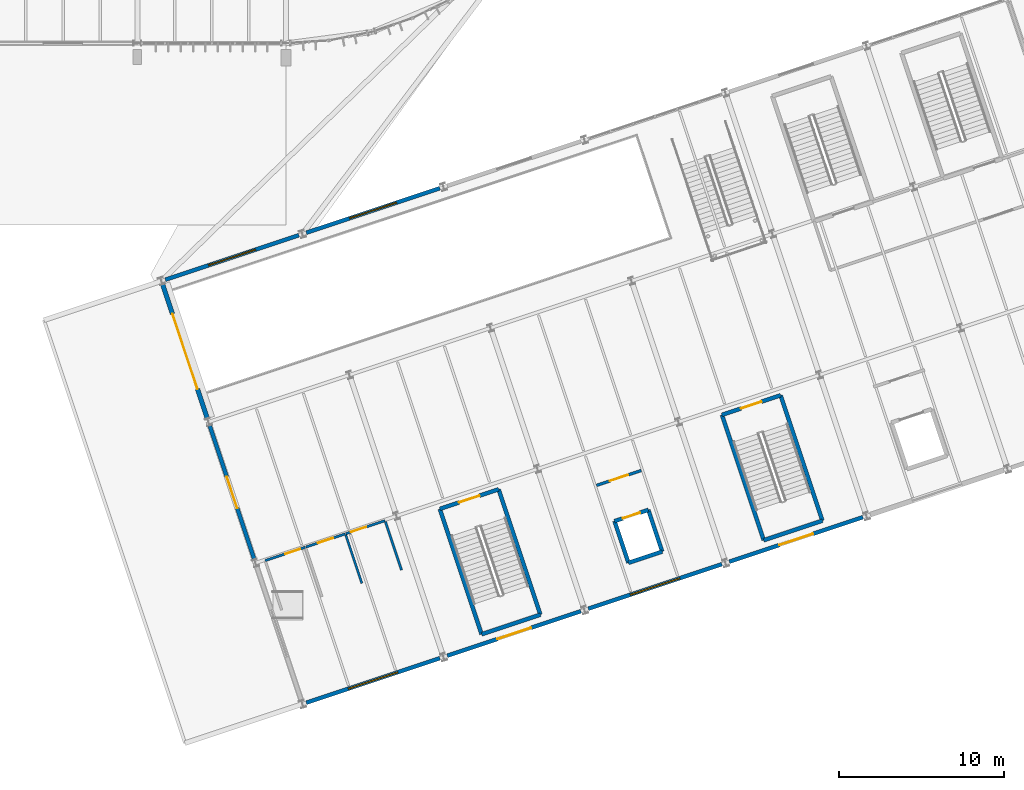
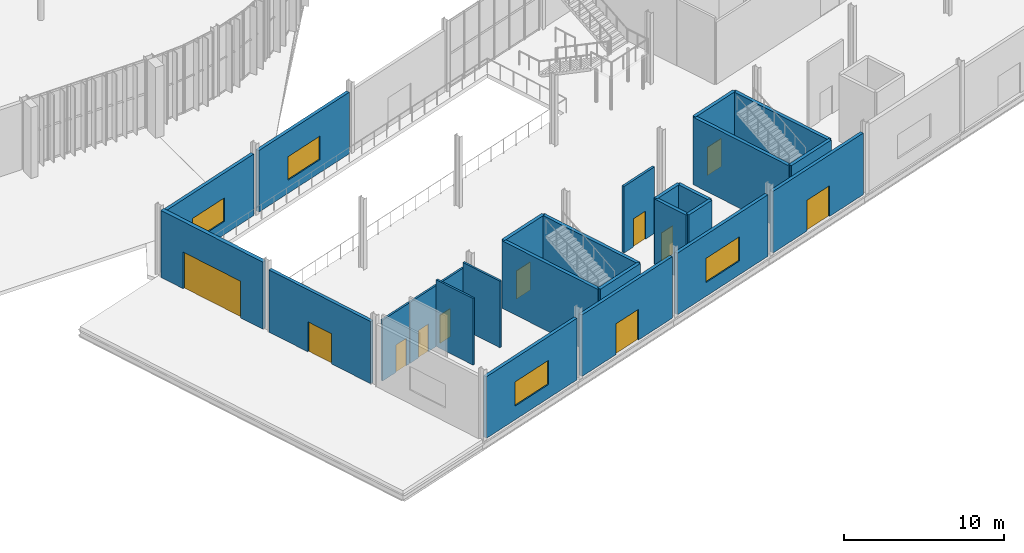
# One storey, part 121 of 158: 26 walls, 11 doors, 4 windows, 15 openings.
"""IFC4 building model written with IfcOpenShell, lengths in metres."""

from ifc_helpers import new_model, si_unit, derived_unit, direction, frame, frame_2d, origin, place, context, subcontext, project, spatial, rectangle, extrude, material, layer, layer_set, type_object, element, fill, save


model = new_model("IFC4")

# Units and contexts
model_context = context("Model", 3, precision=1e-05, world=origin(), true_north=direction((0.0, 1.0)))
body_context = subcontext(model_context, "Body", "Model", "MODEL_VIEW")
ifc_project = project(units=[si_unit("LENGTHUNIT", "METRE"), si_unit("AREAUNIT", "SQUARE_METRE"), si_unit("VOLUMEUNIT", "CUBIC_METRE"), si_unit("PLANEANGLEUNIT", "RADIAN"), si_unit("MASSUNIT", "GRAM", prefix="KILO"), si_unit("THERMODYNAMICTEMPERATUREUNIT", "KELVIN"), si_unit("TIMEUNIT", "SECOND"), derived_unit("THERMALTRANSMITTANCEUNIT", [(si_unit("MASSUNIT", "GRAM", prefix="KILO"), 1), (si_unit("THERMODYNAMICTEMPERATUREUNIT", "KELVIN"), -1), (si_unit("TIMEUNIT", "SECOND"), -3)])], contexts=[model_context])

# Site, building, storey
site_placement = place(None, origin())
site = spatial("IfcSite", under=ifc_project, at=site_placement, CompositionType="ELEMENT")
building_placement = place(site_placement, origin())
building = spatial("IfcBuilding", under=site, at=building_placement, Name="Cambertide Market Hall", CompositionType="ELEMENT")
storey_placement = place(building_placement, origin())
storey = spatial("IfcBuildingStorey", under=building, at=storey_placement, Name="L01", CompositionType="ELEMENT", Elevation=0.0)

# Wall, opening, window
ifc_material_1 = material(Name="Autoclaved Aerated Concrete Blockwork M7.5", Category="masonry")
ifc_layer_1 = layer(ifc_material_1, 0.235107421875, Name="Food Court Acoustic Facade Wall 235")
ifc_layer_set_1 = layer_set([ifc_layer_1], Name="Autoclaved Aerated Concrete Blockwork M7.5")
wall_type_1 = type_object("IfcWallType", Name="Food Court Acoustic Facade Wall 235", PredefinedType="SOLIDWALL", material=ifc_layer_set_1)
wall_1_placement = place(storey_placement, frame((97.689453125, 37.6904296875, 0.0), z_axis=(0.0, 0.0, 1.0), x_axis=(0.948689028943, 0.316210572821, 0.0)))
wall_1 = element("IfcWall", 1, at=wall_1_placement, inside=storey, type_object=wall_type_1, Name="Level 1 Exterior Wall EW-L01-V3N-1", PredefinedType="SOLIDWALL", context=body_context, shape_type="SweptSolid", body=[
    extrude(rectangle(XDim=8.52001953125, YDim=0.235107421875, at=frame_2d((4.260009765625, 0.0))), origin(), (0.0, 0.0, 1.0), 4.699951171875),
])
opening_1_placement = place(wall_1_placement, frame((2.760009765625, 0.0, 1.0)))
opening_1 = element("IfcOpeningElement", 2, at=opening_1_placement, cuts=wall_1, Name="Opening WN-04", PredefinedType="OPENING", context=body_context, shape_type="SweptSolid", body=[
    extrude(rectangle(XDim=3.0, YDim=1.800048828125, at=frame_2d((1.5, 0.89990234375))), frame((0.0, 0.12744140625, 0.0), z_axis=(0.0, -1.0, 0.0), x_axis=(1.0, 0.0, 0.0)), (0.0, 0.0, 1.0), 0.255126953125),
])
ifc_material_2 = material(Name="Low-E Laminated Insulated Glass", Category="glass")
window_type_1 = type_object("IfcWindowType", Name="Hawker Hall Louvered Window 3000x1800", PartitioningType="SINGLE_PANEL", PredefinedType="WINDOW", material=ifc_material_2)
window_1_placement = place(opening_1_placement, origin())
window_1 = element("IfcWindow", 3, at=window_1_placement, inside=storey, type_object=window_type_1, Name="Level 1 Window EW-L01-V3N-1-WN", OverallHeight=1.800048828125, OverallWidth=3.0, PartitioningType="SINGLE_PANEL", PredefinedType="WINDOW", context=body_context, shape_type="SweptSolid", body=[
    extrude(rectangle(XDim=3.0, YDim=1.800048828125, at=frame_2d((1.5, 0.89990234375))), frame((0.0, 0.030029296875, 0.0), z_axis=(0.0, -1.0, 0.0), x_axis=(1.0, 0.0, 0.0)), (0.0, 0.0, 1.0), 0.06005859375),
])
fill(opening_1, window_1)

wall_2_placement = place(storey_placement, frame((114.310546875, 14.770263671875, 0.0), z_axis=(0.0, 0.0, 1.0), x_axis=(-0.948680432514, -0.316236362498, 0.0)))
wall_2 = element("IfcWall", 4, at=wall_2_placement, inside=storey, type_object=wall_type_1, Name="Level 1 Exterior Wall EW-L01-V3S-1", PredefinedType="SOLIDWALL", context=body_context, shape_type="SweptSolid", body=[
    extrude(rectangle(XDim=8.52001953125, YDim=0.235107421875, at=frame_2d((4.260009765625, 0.0))), origin(), (0.0, 0.0, 1.0), 4.699951171875),
])
opening_2_placement = place(wall_2_placement, frame((2.68505859375, 0.0, 1.050048828125)))
opening_2 = element("IfcOpeningElement", 5, at=opening_2_placement, cuts=wall_2, Name="Opening WN-04B", PredefinedType="OPENING", context=body_context, shape_type="SweptSolid", body=[
    extrude(rectangle(XDim=3.14990234375, YDim=1.85009765625, at=frame_2d((1.574951171875, 0.925048828125))), frame((0.0, 0.12744140625, 0.0), z_axis=(0.0, -1.0, 0.0), x_axis=(1.0, 0.0, 0.0)), (0.0, 0.0, 1.0), 0.255126953125),
])
ifc_material_3 = material(Name="Low-E Laminated Insulated Glass", Category="glass")
window_type_2 = type_object("IfcWindowType", Name="Riverfront Gallery Window 3150x1850", PartitioningType="SINGLE_PANEL", PredefinedType="WINDOW", material=ifc_material_3)
window_2_placement = place(opening_2_placement, origin())
window_2 = element("IfcWindow", 6, at=window_2_placement, inside=storey, type_object=window_type_2, Name="Level 1 Window EW-L01-V3S-1-WN", OverallHeight=1.85009765625, OverallWidth=3.14990234375, PartitioningType="SINGLE_PANEL", PredefinedType="WINDOW", context=body_context, shape_type="SweptSolid", body=[
    extrude(rectangle(XDim=3.14990234375, YDim=1.85009765625, at=frame_2d((1.574951171875, 0.925048828125))), frame((0.0, 0.030029296875, 0.0), z_axis=(0.0, -1.0, 0.0), x_axis=(1.0, 0.0, 0.0)), (0.0, 0.0, 1.0), 0.06005859375),
])
fill(opening_2, window_2)

wall_3_placement = place(storey_placement, frame((106.227783203125, 40.536376953125, 0.0), z_axis=(0.0, 0.0, 1.0), x_axis=(0.948680432514, 0.316236362498, 0.0)))
wall_3 = element("IfcWall", 7, at=wall_3_placement, inside=storey, type_object=wall_type_1, Name="Level 1 Exterior Wall EW-L01-V3N-2", PredefinedType="SOLIDWALL", context=body_context, shape_type="SweptSolid", body=[
    extrude(rectangle(XDim=8.52001953125, YDim=0.235107421875, at=frame_2d((4.260009765625, 0.0))), origin(), (0.0, 0.0, 1.0), 4.699951171875),
])
opening_3_placement = place(wall_3_placement, frame((2.760009765625, 0.0, 1.0)))
opening_3 = element("IfcOpeningElement", 8, at=opening_3_placement, cuts=wall_3, Name="Opening WN-04", PredefinedType="OPENING", context=body_context, shape_type="SweptSolid", body=[
    extrude(rectangle(XDim=3.0, YDim=1.800048828125, at=frame_2d((1.5, 0.89990234375))), frame((0.0, 0.12744140625, 0.0), z_axis=(0.0, -1.0, 0.0), x_axis=(1.0, 0.0, 0.0)), (0.0, 0.0, 1.0), 0.255126953125),
])
window_3_placement = place(opening_3_placement, origin())
window_3 = element("IfcWindow", 9, at=window_3_placement, inside=storey, type_object=window_type_1, Name="Level 1 Window EW-L01-V3N-2-WN", OverallHeight=1.800048828125, OverallWidth=3.0, PartitioningType="SINGLE_PANEL", PredefinedType="WINDOW", context=body_context, shape_type="SweptSolid", body=[
    extrude(rectangle(XDim=3.0, YDim=1.800048828125, at=frame_2d((1.5, 0.89990234375))), frame((0.0, 0.030029296875, 0.0), z_axis=(0.0, -1.0, 0.0), x_axis=(1.0, 0.0, 0.0)), (0.0, 0.0, 1.0), 0.06005859375),
])
fill(opening_3, window_3)

# Wall, opening, door
wall_4_placement = place(storey_placement, frame((122.8486328125, 17.6162109375, 0.0), z_axis=(0.0, 0.0, 1.0), x_axis=(-0.948680432514, -0.316236362498, 0.0)))
wall_4 = element("IfcWall", 10, at=wall_4_placement, inside=storey, type_object=wall_type_1, Name="Level 1 Exterior Wall EW-L01-V3S-2", PredefinedType="SOLIDWALL", context=body_context, shape_type="SweptSolid", body=[
    extrude(rectangle(XDim=8.52001953125, YDim=0.235107421875, at=frame_2d((4.260009765625, 0.0))), origin(), (0.0, 0.0, 1.0), 4.699951171875),
])
opening_4_placement = place(wall_4_placement, frame((3.18505859375, 0.0, 0.0)))
opening_4 = element("IfcOpeningElement", 11, at=opening_4_placement, cuts=wall_4, Name="Opening ED-05", PredefinedType="OPENING", context=body_context, shape_type="SweptSolid", body=[
    extrude(rectangle(XDim=2.14990234375, YDim=2.35009765625, at=frame_2d((1.074951171875, 1.175048828125))), frame((0.0, 0.12744140625, 0.0), z_axis=(0.0, -1.0, 0.0), x_axis=(1.0, 0.0, 0.0)), (0.0, 0.0, 1.0), 0.255126953125),
])
ifc_material_4 = material(Name="Champagne Marine Anodized Aluminium 6063-T6 AA25", Category="aluminium")
door_type_1 = type_object("IfcDoorType", Name="Hawker Promenade Double Exit Door 2150x2350", OperationType="DOUBLE_DOOR_SINGLE_SWING", PredefinedType="DOOR", material=ifc_material_4)
door_1_placement = place(opening_4_placement, origin())
door_1 = element("IfcDoor", 12, at=door_1_placement, inside=storey, type_object=door_type_1, Name="Level 1 Exterior Door EW-L01-V3S-2-DR", OperationType="DOUBLE_DOOR_SINGLE_SWING", OverallHeight=2.35009765625, OverallWidth=2.14990234375, PredefinedType="DOOR", context=body_context, shape_type="SweptSolid", body=[
    extrude(rectangle(XDim=2.14990234375, YDim=2.35009765625, at=frame_2d((1.074951171875, 1.175048828125))), frame((0.0, 0.02490234375, 0.0), z_axis=(0.0, -1.0, 0.0), x_axis=(1.0, 0.0, 0.0)), (0.0, 0.0, 1.0), 0.050048828125),
])
fill(opening_4, door_1)

# Wall, opening, window
wall_5_placement = place(storey_placement, frame((131.38671875, 20.462158203125, 0.0), z_axis=(0.0, 0.0, 1.0), x_axis=(-0.948689028943, -0.316210572821, 0.0)))
wall_5 = element("IfcWall", 13, at=wall_5_placement, inside=storey, type_object=wall_type_1, Name="Level 1 Exterior Wall EW-L01-V3S-3", PredefinedType="SOLIDWALL", context=body_context, shape_type="SweptSolid", body=[
    extrude(rectangle(XDim=8.52001953125, YDim=0.235107421875, at=frame_2d((4.260009765625, 0.0))), origin(), (0.0, 0.0, 1.0), 4.699951171875),
])
opening_5_placement = place(wall_5_placement, frame((2.68505859375, 0.0, 1.050048828125)))
opening_5 = element("IfcOpeningElement", 14, at=opening_5_placement, cuts=wall_5, Name="Opening WN-04B", PredefinedType="OPENING", context=body_context, shape_type="SweptSolid", body=[
    extrude(rectangle(XDim=3.14990234375, YDim=1.85009765625, at=frame_2d((1.574951171875, 0.925048828125))), frame((0.0, 0.12744140625, 0.0), z_axis=(0.0, -1.0, 0.0), x_axis=(1.0, 0.0, 0.0)), (0.0, 0.0, 1.0), 0.255126953125),
])
window_4_placement = place(opening_5_placement, origin())
window_4 = element("IfcWindow", 15, at=window_4_placement, inside=storey, type_object=window_type_2, Name="Level 1 Window EW-L01-V3S-3-WN", OverallHeight=1.85009765625, OverallWidth=3.14990234375, PartitioningType="SINGLE_PANEL", PredefinedType="WINDOW", context=body_context, shape_type="SweptSolid", body=[
    extrude(rectangle(XDim=3.14990234375, YDim=1.85009765625, at=frame_2d((1.574951171875, 0.925048828125))), frame((0.0, 0.030029296875, 0.0), z_axis=(0.0, -1.0, 0.0), x_axis=(1.0, 0.0, 0.0)), (0.0, 0.0, 1.0), 0.06005859375),
])
fill(opening_5, window_4)

# Wall, opening, door
wall_6_placement = place(storey_placement, frame((139.9248046875, 23.308349609375, 0.0), z_axis=(0.0, 0.0, 1.0), x_axis=(-0.948680432514, -0.316236362498, 0.0)))
wall_6 = element("IfcWall", 16, at=wall_6_placement, inside=storey, type_object=wall_type_1, Name="Level 1 Exterior Wall EW-L01-V3S-4", PredefinedType="SOLIDWALL", context=body_context, shape_type="SweptSolid", body=[
    extrude(rectangle(XDim=8.52001953125, YDim=0.235107421875, at=frame_2d((4.260009765625, 0.0))), origin(), (0.0, 0.0, 1.0), 4.699951171875),
])
opening_6_placement = place(wall_6_placement, frame((3.18505859375, 0.0, 0.0)))
opening_6 = element("IfcOpeningElement", 17, at=opening_6_placement, cuts=wall_6, Name="Opening ED-05", PredefinedType="OPENING", context=body_context, shape_type="SweptSolid", body=[
    extrude(rectangle(XDim=2.14990234375, YDim=2.35009765625, at=frame_2d((1.074951171875, 1.175048828125))), frame((0.0, 0.12744140625, 0.0), z_axis=(0.0, -1.0, 0.0), x_axis=(1.0, 0.0, 0.0)), (0.0, 0.0, 1.0), 0.255126953125),
])
door_2_placement = place(opening_6_placement, origin())
door_2 = element("IfcDoor", 18, at=door_2_placement, inside=storey, type_object=door_type_1, Name="Level 1 Exterior Door EW-L01-V3S-4-DR", OperationType="DOUBLE_DOOR_SINGLE_SWING", OverallHeight=2.35009765625, OverallWidth=2.14990234375, PredefinedType="DOOR", context=body_context, shape_type="SweptSolid", body=[
    extrude(rectangle(XDim=2.14990234375, YDim=2.35009765625, at=frame_2d((1.074951171875, 1.175048828125))), frame((0.0, 0.02490234375, 0.0), z_axis=(0.0, -1.0, 0.0), x_axis=(1.0, 0.0, 0.0)), (0.0, 0.0, 1.0), 0.050048828125),
])
fill(opening_6, door_2)

wall_7_placement = place(storey_placement, frame((103.078125, 20.765869140625, 0.0), z_axis=(0.0, 0.0, 1.0), x_axis=(-0.316236362498, 0.948680432514, 0.0)))
wall_7 = element("IfcWall", 19, at=wall_7_placement, inside=storey, type_object=wall_type_1, Name="Level 1 Exterior Wall EW-L01-V3W-2", PredefinedType="SOLIDWALL", context=body_context, shape_type="SweptSolid", body=[
    extrude(rectangle(XDim=8.52001953125, YDim=0.235107421875, at=frame_2d((4.260009765625, 0.0))), origin(), (0.0, 0.0, 1.0), 4.75),
])
opening_7_placement = place(wall_7_placement, frame((3.260009765625, 0.0, 0.0)))
opening_7 = element("IfcOpeningElement", 20, at=opening_7_placement, cuts=wall_7, Name="Opening ED-01", PredefinedType="OPENING", context=body_context, shape_type="SweptSolid", body=[
    extrude(rectangle(XDim=2.0, YDim=2.300048828125, at=frame_2d((1.0, 1.14990234375))), frame((0.0, 0.12744140625, 0.0), z_axis=(0.0, -1.0, 0.0), x_axis=(1.0, 0.0, 0.0)), (0.0, 0.0, 1.0), 0.255126953125),
])
ifc_material_5 = material(Name="Champagne Marine Anodized Aluminium 6063-T6 AA25", Category="aluminium")
door_type_2 = type_object("IfcDoorType", Name="Final Exit Double Door 2000x2300", OperationType="DOUBLE_DOOR_SINGLE_SWING", PredefinedType="DOOR", material=ifc_material_5)
door_3_placement = place(opening_7_placement, origin())
door_3 = element("IfcDoor", 21, at=door_3_placement, inside=storey, type_object=door_type_2, Name="Level 1 Exterior Door EW-L01-V3W-2-DR", OperationType="DOUBLE_DOOR_SINGLE_SWING", OverallHeight=2.300048828125, OverallWidth=2.0, PredefinedType="DOOR", context=body_context, shape_type="SweptSolid", body=[
    extrude(rectangle(XDim=2.0, YDim=2.300048828125, at=frame_2d((1.0, 1.14990234375))), frame((0.0, 0.02490234375, 0.0), z_axis=(0.0, -1.0, 0.0), x_axis=(1.0, 0.0, 0.0)), (0.0, 0.0, 1.0), 0.050048828125),
])
fill(opening_7, door_3)

ifc_material_6 = material(Name="Autoclaved Aerated Concrete Blockwork M7.5", Category="masonry")
ifc_layer_2 = layer(ifc_material_6, 0.169921875, Name="Lift Lobby Fire Partition 170")
ifc_layer_set_2 = layer_set([ifc_layer_2], Name="Autoclaved Aerated Concrete Blockwork M7.5")
wall_type_2 = type_object("IfcWallType", Name="Lift Lobby Fire Partition 170", PredefinedType="PARTITIONING", material=ifc_layer_set_2)
wall_8_placement = place(storey_placement, frame((123.79736328125, 25.2373046875, 0.0), z_axis=(0.0, 0.0, 1.0), x_axis=(0.94869183448, 0.316202155576, 0.0)))
wall_8 = element("IfcWall", 22, at=wall_8_placement, inside=storey, type_object=wall_type_2, Name="Level 1 Interior Wall LLW-LP-02-L01", PredefinedType="PARTITIONING", context=body_context, shape_type="SweptSolid", body=[
    extrude(rectangle(XDim=2.85986328125, YDim=0.169921875, at=frame_2d((1.429931640625, 0.0))), origin(), (0.0, 0.0, 1.0), 5.080078125),
])
opening_8_placement = place(wall_8_placement, frame((0.85498046875, 0.0, 0.0)))
opening_8 = element("IfcOpeningElement", 23, at=opening_8_placement, cuts=wall_8, Name="Opening KD-02", PredefinedType="OPENING", context=body_context, shape_type="SweptSolid", body=[
    extrude(rectangle(XDim=1.14990234375, YDim=2.14990234375, at=frame_2d((0.574951171875, 1.074951171875))), frame((0.0, 0.094970703125, 0.0), z_axis=(0.0, -1.0, 0.0), x_axis=(1.0, 0.0, 0.0)), (0.0, 0.0, 1.0), 0.18994140625),
])
ifc_material_7 = material(Name="Stainless Steel Grade 316", Category="metal")
door_type_3 = type_object("IfcDoorType", Name="Lift Lobby Smoke-Stop Door 1150x2150", OperationType="NOTDEFINED", PredefinedType="DOOR", material=ifc_material_7)
door_4_placement = place(opening_8_placement, origin())
door_4 = element("IfcDoor", 24, at=door_4_placement, inside=storey, type_object=door_type_3, Name="Level 1 Door LLW-LP-02-L01-DR1", OperationType="SINGLE_SWING_RIGHT", OverallHeight=2.14990234375, OverallWidth=1.14990234375, PredefinedType="DOOR", context=body_context, shape_type="SweptSolid", body=[
    extrude(rectangle(XDim=1.14990234375, YDim=2.14990234375, at=frame_2d((0.574951171875, 1.074951171875))), frame((0.0, 0.02490234375, 0.0), z_axis=(0.0, -1.0, 0.0), x_axis=(1.0, 0.0, 0.0)), (0.0, 0.0, 1.0), 0.050048828125),
])
fill(opening_8, door_4)

ifc_material_8 = material(Name="Precast concrete B35", Category="concrete")
ifc_layer_3 = layer(ifc_material_8, 0.280029296875, Name="Load-Bearing Precast Facade Wall 280")
ifc_layer_set_3 = layer_set([ifc_layer_3], Name="Precast concrete B35")
wall_type_3 = type_object("IfcWallType", Name="Load-Bearing Precast Facade Wall 280", PredefinedType="SOLIDWALL", material=ifc_layer_set_3)
wall_9_placement = place(storey_placement, frame((100.23193359375, 29.303955078125, 0.0), z_axis=(0.0, 0.0, 1.0), x_axis=(-0.316210572821, 0.948689028943, 0.0)))
wall_9 = element("IfcWall", 25, at=wall_9_placement, inside=storey, type_object=wall_type_3, Name="Level 1 Exterior Wall EW-L01-V3W-RAMP", PredefinedType="SOLIDWALL", context=body_context, shape_type="SweptSolid", body=[
    extrude(rectangle(XDim=8.52001953125, YDim=0.280029296875, at=frame_2d((4.260009765625, 0.0))), origin(), (0.0, 0.0, 1.0), 5.1201171875),
])
opening_9_placement = place(wall_9_placement, frame((1.860107421875, 0.0, 0.0)))
opening_9 = element("IfcOpeningElement", 26, at=opening_9_placement, cuts=wall_9, Name="Opening VG-01M", PredefinedType="OPENING", context=body_context, shape_type="SweptSolid", body=[
    extrude(rectangle(XDim=4.800048828125, YDim=2.800048828125, at=frame_2d((2.39990234375, 1.39990234375))), frame((0.0, 0.14990234375, 0.0), z_axis=(0.0, -1.0, 0.0), x_axis=(1.0, 0.0, 0.0)), (0.0, 0.0, 1.0), 0.300048828125),
])
ifc_material_9 = material(Name="Powder-Coated Galvanized Sheet Metal", Category="metal")
door_type_4 = type_object("IfcDoorType", Name="Basement Car Park Roller Shutter Gate 4800x2800", OperationType="ROLLINGUP", PredefinedType="GATE", material=ifc_material_9)
door_5_placement = place(opening_9_placement, origin())
door_5 = element("IfcDoor", 27, at=door_5_placement, inside=storey, type_object=door_type_4, Name="Level 1 Exterior Door EW-L01-V3W-RAMP-DR", OperationType="ROLLINGUP", OverallHeight=2.800048828125, OverallWidth=4.800048828125, PredefinedType="GATE", context=body_context, shape_type="SweptSolid", body=[
    extrude(rectangle(XDim=4.800048828125, YDim=2.800048828125, at=frame_2d((2.39990234375, 1.39990234375))), frame((0.0, 0.02490234375, 0.0), z_axis=(0.0, -1.0, 0.0), x_axis=(1.0, 0.0, 0.0)), (0.0, 0.0, 1.0), 0.050048828125),
])
fill(opening_9, door_5)

ifc_material_10 = material(Name="Autoclaved Aerated Concrete Blockwork M7.5", Category="masonry")
ifc_layer_4 = layer(ifc_material_10, 0.139892578125, Name="Sanitary & Wet-Area Masonry Partition 140")
ifc_layer_set_4 = layer_set([ifc_layer_4], Name="Autoclaved Aerated Concrete Blockwork M7.5")
wall_type_4 = type_object("IfcWallType", Name="Sanitary & Wet-Area Masonry Partition 140", PredefinedType="PARTITIONING", material=ifc_layer_set_4)
wall_10_placement = place(storey_placement, frame((103.739013671875, 20.680419921875, 0.0), z_axis=(0.0, 0.0, 1.0), x_axis=(0.948683298051, 0.316227766017, 0.0)))
wall_10 = element("IfcWall", 28, at=wall_10_placement, inside=storey, type_object=wall_type_4, Name="Level 1 Interior Wall WCW-L01-L01B-F1", PredefinedType="PARTITIONING", context=body_context, shape_type="SweptSolid", body=[
    extrude(rectangle(XDim=2.550048828125, YDim=0.139892578125, at=frame_2d((1.27490234375, 0.0))), origin(), (0.0, 0.0, 1.0), 4.64990234375),
])
opening_10_placement = place(wall_10_placement, frame((1.280029296875, 0.0, 0.0)))
opening_10 = element("IfcOpeningElement", 29, at=opening_10_placement, cuts=wall_10, Name="Opening ID-04", PredefinedType="OPENING", context=body_context, shape_type="SweptSolid", body=[
    extrude(rectangle(XDim=0.949951171875, YDim=2.10009765625, at=frame_2d((0.47509765625, 1.050048828125))), frame((0.0, 0.079833984375, 0.0), z_axis=(0.0, -1.0, 0.0), x_axis=(1.0, 0.0, 0.0)), (0.0, 0.0, 1.0), 0.159912109375),
])
ifc_material_11 = material(Name="Champagne Marine Anodized Aluminium 6063-T6 AA25", Category="aluminium")
door_type_5 = type_object("IfcDoorType", Name="WC & Office Single Door 950x2100", OperationType="NOTDEFINED", PredefinedType="DOOR", material=ifc_material_11)
door_6_placement = place(opening_10_placement, origin())
door_6 = element("IfcDoor", 30, at=door_6_placement, inside=storey, type_object=door_type_5, Name="Level 1 Door WCW-L01-L01B-F1-DR1", OperationType="SINGLE_SWING_LEFT", OverallHeight=2.10009765625, OverallWidth=0.949951171875, PredefinedType="DOOR", context=body_context, shape_type="SweptSolid", body=[
    extrude(rectangle(XDim=0.949951171875, YDim=2.10009765625, at=frame_2d((0.47509765625, 1.050048828125))), frame((0.0, 0.02490234375, 0.0), z_axis=(0.0, -1.0, 0.0), x_axis=(1.0, 0.0, 0.0)), (0.0, 0.0, 1.0), 0.050048828125),
])
fill(opening_10, door_6)

wall_11_placement = place(storey_placement, frame((106.20556640625, 21.502685546875, 0.0), z_axis=(0.0, 0.0, 1.0), x_axis=(0.948683298051, 0.316227766017, 0.0)))
wall_11 = element("IfcWall", 31, at=wall_11_placement, inside=storey, type_object=wall_type_4, Name="Level 1 Interior Wall WCW-L01-L01B-F2", PredefinedType="PARTITIONING", context=body_context, shape_type="SweptSolid", body=[
    extrude(rectangle(XDim=2.499755859375, YDim=0.139892578125, at=frame_2d((1.25, 0.0))), origin(), (0.0, 0.0, 1.0), 4.64990234375),
])
opening_11_placement = place(wall_11_placement, frame((0.77490234375, 0.0, 0.0)))
opening_11 = element("IfcOpeningElement", 32, at=opening_11_placement, cuts=wall_11, Name="Opening ID-04", PredefinedType="OPENING", context=body_context, shape_type="SweptSolid", body=[
    extrude(rectangle(XDim=0.949951171875, YDim=2.10009765625, at=frame_2d((0.47509765625, 1.050048828125))), frame((0.0, 0.079833984375, 0.0), z_axis=(0.0, -1.0, 0.0), x_axis=(1.0, 0.0, 0.0)), (0.0, 0.0, 1.0), 0.159912109375),
])
door_7_placement = place(opening_11_placement, origin())
door_7 = element("IfcDoor", 33, at=door_7_placement, inside=storey, type_object=door_type_5, Name="Level 1 Door WCW-L01-L01B-F2-DR1", OperationType="SINGLE_SWING_RIGHT", OverallHeight=2.10009765625, OverallWidth=0.949951171875, PredefinedType="DOOR", context=body_context, shape_type="SweptSolid", body=[
    extrude(rectangle(XDim=0.949951171875, YDim=2.10009765625, at=frame_2d((0.47509765625, 1.050048828125))), frame((0.0, 0.02490234375, 0.0), z_axis=(0.0, -1.0, 0.0), x_axis=(1.0, 0.0, 0.0)), (0.0, 0.0, 1.0), 0.050048828125),
])
fill(opening_11, door_7)

wall_12_placement = place(storey_placement, frame((108.624755859375, 22.30908203125, 0.0), z_axis=(0.0, 0.0, 1.0), x_axis=(0.948683298051, 0.316227766017, 0.0)))
wall_12 = element("IfcWall", 34, at=wall_12_placement, inside=storey, type_object=wall_type_4, Name="Level 1 Interior Wall WCW-L01-L01B-F3", PredefinedType="PARTITIONING", context=body_context, shape_type="SweptSolid", body=[
    extrude(rectangle(XDim=2.499755859375, YDim=0.139892578125, at=frame_2d((1.25, 0.0))), origin(), (0.0, 0.0, 1.0), 4.64990234375),
])
opening_12_placement = place(wall_12_placement, frame((0.320068359375, 0.0, 0.0)))
opening_12 = element("IfcOpeningElement", 35, at=opening_12_placement, cuts=wall_12, Name="Opening ID-05", PredefinedType="OPENING", context=body_context, shape_type="SweptSolid", body=[
    extrude(rectangle(XDim=0.97998046875, YDim=2.14990234375, at=frame_2d((0.489990234375, 1.074951171875))), frame((0.0, 0.079833984375, 0.0), z_axis=(0.0, -1.0, 0.0), x_axis=(1.0, 0.0, 0.0)), (0.0, 0.0, 1.0), 0.159912109375),
])
ifc_material_12 = material(Name="Champagne Marine Anodized Aluminium 6063-T6 AA25", Category="aluminium")
door_type_6 = type_object("IfcDoorType", Name="Accessible WC Outward Door 980x2150", OperationType="NOTDEFINED", PredefinedType="DOOR", material=ifc_material_12)
door_8_placement = place(opening_12_placement, origin())
door_8 = element("IfcDoor", 36, at=door_8_placement, inside=storey, type_object=door_type_6, Name="Level 1 Door WCW-L01-L01B-F3-DR1", OperationType="SINGLE_SWING_LEFT", OverallHeight=2.14990234375, OverallWidth=0.97998046875, PredefinedType="DOOR", context=body_context, shape_type="SweptSolid", body=[
    extrude(rectangle(XDim=0.97998046875, YDim=2.14990234375, at=frame_2d((0.489990234375, 1.074951171875))), frame((0.0, 0.02490234375, 0.0), z_axis=(0.0, -1.0, 0.0), x_axis=(1.0, 0.0, 0.0)), (0.0, 0.0, 1.0), 0.050048828125),
])
fill(opening_12, door_8)

# Walls
for number, where, z_axis, x_axis, name in (
    (37, (109.59228515625, 19.311279296875, 0.0), (0.0, 0.0, 1.0), (-0.316204139208, 0.948691173326, 0.0), "Level 1 Interior Wall WCW-L01-L01B-D2"),
    (38, (111.992431640625, 20.111328125, 0.0), (0.0, 0.0, 1.0), (-0.316204139208, 0.948691173326, 0.0), "Level 1 Interior Wall WCW-L01-L01B-R"),
):
    element("IfcWall", number, at=place(storey_placement, frame(where, z_axis=z_axis, x_axis=x_axis)), inside=storey, type_object=wall_type_4, Name=name, PredefinedType="PARTITIONING", context=body_context, shape_type="SweptSolid", body=[
        extrude(rectangle(XDim=3.099853515625, YDim=0.139892578125, at=frame_2d((1.5498046875, 0.0))), origin(), (0.0, 0.0, 1.0), 5.080078125),
    ])

# Wall, opening, door
ifc_material_13 = material(Name="Concrete B35", Category="concrete")
ifc_layer_5 = layer(ifc_material_13, 0.239990234375, Name="Stair & Lift Core Shaft Wall 240")
ifc_layer_set_5 = layer_set([ifc_layer_5], Name="Concrete B35")
wall_type_5 = type_object("IfcWallType", Name="Stair & Lift Core Shaft Wall 240", PredefinedType="SOLIDWALL", material=ifc_layer_set_5)
wall_13_placement = place(storey_placement, frame((114.31689453125, 23.81103515625, 0.0), z_axis=(0.0, 0.0, 1.0), x_axis=(0.948670276792, 0.316266827111, 0.0)))
wall_13 = element("IfcWall", 39, at=wall_13_placement, inside=storey, type_object=wall_type_5, Name="Level 1 Interior Wall SHW-ST-05A-L01-NEAR", PredefinedType="SOLIDWALL", context=body_context, shape_type="SweptSolid", body=[
    extrude(rectangle(XDim=3.75, YDim=0.239990234375, at=frame_2d((1.875, 0.0))), origin(), (0.0, 0.0, 1.0), 5.14990234375),
])
opening_13_placement = place(wall_13_placement, frame((1.22509765625, 0.0, 0.0)))
opening_13 = element("IfcOpeningElement", 40, at=opening_13_placement, cuts=wall_13, Name="Opening FD-01", PredefinedType="OPENING", context=body_context, shape_type="SweptSolid", body=[
    extrude(rectangle(XDim=1.300048828125, YDim=2.14990234375, at=frame_2d((0.64990234375, 1.074951171875))), frame((0.0, 0.1298828125, 0.0), z_axis=(0.0, -1.0, 0.0), x_axis=(1.0, 0.0, 0.0)), (0.0, 0.0, 1.0), 0.260009765625),
])
ifc_material_14 = material(Name="Powder-Coated Galvanized Sheet Metal", Category="metal")
door_type_7 = type_object("IfcDoorType", Name="Stair Core Fire Door 1300x2150", OperationType="NOTDEFINED", PredefinedType="DOOR", material=ifc_material_14)
door_9_placement = place(opening_13_placement, origin())
door_9 = element("IfcDoor", 41, at=door_9_placement, inside=storey, type_object=door_type_7, Name="Level 1 Door SHW-ST-05A-L01-NEAR-DR1", OperationType="SINGLE_SWING_LEFT", OverallHeight=2.14990234375, OverallWidth=1.300048828125, PredefinedType="DOOR", context=body_context, shape_type="SweptSolid", body=[
    extrude(rectangle(XDim=1.300048828125, YDim=2.14990234375, at=frame_2d((0.64990234375, 1.074951171875))), frame((0.0, 0.02490234375, 0.0), z_axis=(0.0, -1.0, 0.0), x_axis=(1.0, 0.0, 0.0)), (0.0, 0.0, 1.0), 0.050048828125),
])
fill(opening_13, door_9)

# Walls
wall_14_placement = place(storey_placement, frame((116.8466796875, 16.2216796875, 0.0), z_axis=(0.0, 0.0, 1.0), x_axis=(-0.316227766017, 0.948683298051, 0.0)))
element("IfcWall", 42, at=wall_14_placement, inside=storey, type_object=wall_type_5, Name="Level 1 Interior Wall SHW-ST-05A-L01-L", PredefinedType="SOLIDWALL", context=body_context, shape_type="SweptSolid", body=[
    extrude(rectangle(XDim=8.0, YDim=0.239990234375, at=frame_2d((4.0, 0.0))), origin(), (0.0, 0.0, 1.0), 5.14990234375),
])
wall_15_placement = place(storey_placement, frame((120.404296875, 17.407470703125, 0.0), z_axis=(0.0, 0.0, 1.0), x_axis=(-0.94868980821, -0.316208234867, 0.0)))
element("IfcWall", 43, at=wall_15_placement, inside=storey, type_object=wall_type_5, Name="Level 1 Interior Wall SHW-ST-05A-L01-FAR", PredefinedType="SOLIDWALL", context=body_context, shape_type="SweptSolid", body=[
    extrude(rectangle(XDim=3.75, YDim=0.239990234375, at=frame_2d((1.875, 0.0))), origin(), (0.0, 0.0, 1.0), 5.14990234375),
])
wall_16_placement = place(storey_placement, frame((117.87451171875, 24.9970703125, 0.0), z_axis=(0.0, 0.0, 1.0), x_axis=(0.31621861086, -0.94868634972, 0.0)))
element("IfcWall", 44, at=wall_16_placement, inside=storey, type_object=wall_type_5, Name="Level 1 Interior Wall SHW-ST-05A-L01-R", PredefinedType="SOLIDWALL", context=body_context, shape_type="SweptSolid", body=[
    extrude(rectangle(XDim=8.0, YDim=0.239990234375, at=frame_2d((4.0, 0.0))), origin(), (0.0, 0.0, 1.0), 5.14990234375),
])

# Wall, opening, door
wall_17_placement = place(storey_placement, frame((131.39306640625, 29.503173828125, 0.0), z_axis=(0.0, 0.0, 1.0), x_axis=(0.948670276792, 0.316266827111, 0.0)))
wall_17 = element("IfcWall", 45, at=wall_17_placement, inside=storey, type_object=wall_type_5, Name="Level 1 Interior Wall SHW-ST-06A-L01-NEAR", PredefinedType="SOLIDWALL", context=body_context, shape_type="SweptSolid", body=[
    extrude(rectangle(XDim=3.75, YDim=0.239990234375, at=frame_2d((1.875, 0.0))), origin(), (0.0, 0.0, 1.0), 5.14990234375),
])
opening_14_placement = place(wall_17_placement, frame((1.22509765625, 0.0, 0.0)))
opening_14 = element("IfcOpeningElement", 46, at=opening_14_placement, cuts=wall_17, Name="Opening FD-01", PredefinedType="OPENING", context=body_context, shape_type="SweptSolid", body=[
    extrude(rectangle(XDim=1.300048828125, YDim=2.14990234375, at=frame_2d((0.64990234375, 1.074951171875))), frame((0.0, 0.1298828125, 0.0), z_axis=(0.0, -1.0, 0.0), x_axis=(1.0, 0.0, 0.0)), (0.0, 0.0, 1.0), 0.260009765625),
])
door_10_placement = place(opening_14_placement, origin())
door_10 = element("IfcDoor", 47, at=door_10_placement, inside=storey, type_object=door_type_7, Name="Level 1 Door SHW-ST-06A-L01-NEAR-DR1", OperationType="SINGLE_SWING_RIGHT", OverallHeight=2.14990234375, OverallWidth=1.300048828125, PredefinedType="DOOR", context=body_context, shape_type="SweptSolid", body=[
    extrude(rectangle(XDim=1.300048828125, YDim=2.14990234375, at=frame_2d((0.64990234375, 1.074951171875))), frame((0.0, 0.02490234375, 0.0), z_axis=(0.0, -1.0, 0.0), x_axis=(1.0, 0.0, 0.0)), (0.0, 0.0, 1.0), 0.050048828125),
])
fill(opening_14, door_10)

# Walls
wall_18_placement = place(storey_placement, frame((133.9228515625, 21.913818359375, 0.0), z_axis=(0.0, 0.0, 1.0), x_axis=(-0.316227766017, 0.948683298051, 0.0)))
element("IfcWall", 48, at=wall_18_placement, inside=storey, type_object=wall_type_5, Name="Level 1 Interior Wall SHW-ST-06A-L01-L", PredefinedType="SOLIDWALL", context=body_context, shape_type="SweptSolid", body=[
    extrude(rectangle(XDim=8.0, YDim=0.239990234375, at=frame_2d((4.0, 0.0))), origin(), (0.0, 0.0, 1.0), 5.14990234375),
])
wall_19_placement = place(storey_placement, frame((137.48046875, 23.099609375, 0.0), z_axis=(0.0, 0.0, 1.0), x_axis=(-0.94868980821, -0.316208234867, 0.0)))
element("IfcWall", 49, at=wall_19_placement, inside=storey, type_object=wall_type_5, Name="Level 1 Interior Wall SHW-ST-06A-L01-FAR", PredefinedType="SOLIDWALL", context=body_context, shape_type="SweptSolid", body=[
    extrude(rectangle(XDim=3.75, YDim=0.239990234375, at=frame_2d((1.875, 0.0))), origin(), (0.0, 0.0, 1.0), 5.14990234375),
])
wall_20_placement = place(storey_placement, frame((134.95068359375, 30.689208984375, 0.0), z_axis=(0.0, 0.0, 1.0), x_axis=(0.31621861086, -0.94868634972, 0.0)))
element("IfcWall", 50, at=wall_20_placement, inside=storey, type_object=wall_type_5, Name="Level 1 Interior Wall SHW-ST-06A-L01-R", PredefinedType="SOLIDWALL", context=body_context, shape_type="SweptSolid", body=[
    extrude(rectangle(XDim=8.0, YDim=0.239990234375, at=frame_2d((4.0, 0.0))), origin(), (0.0, 0.0, 1.0), 5.14990234375),
])
wall_21_placement = place(storey_placement, frame((127.778564453125, 21.230712890625, 0.0), z_axis=(0.0, 0.0, 1.0), x_axis=(-0.948671994311, -0.316261675215, 0.0)))
element("IfcWall", 51, at=wall_21_placement, inside=storey, type_object=wall_type_5, Name="Level 1 Interior Wall LSH-LP-02-L01-S", PredefinedType="SOLIDWALL", context=body_context, shape_type="SweptSolid", body=[
    extrude(rectangle(XDim=2.159912109375, YDim=0.239990234375, at=frame_2d((1.080078125, 0.0))), origin(), (0.0, 0.0, 1.0), 5.080078125),
])

# Wall, opening, door
wall_22_placement = place(storey_placement, frame((124.88818359375, 23.071044921875, 0.0), z_axis=(0.0, 0.0, 1.0), x_axis=(0.948683298051, 0.316227766017, 0.0)))
wall_22 = element("IfcWall", 52, at=wall_22_placement, inside=storey, type_object=wall_type_5, Name="Level 1 Interior Wall LSH-LP-02-L01-N", PredefinedType="SOLIDWALL", context=body_context, shape_type="SweptSolid", body=[
    extrude(rectangle(XDim=2.16015625, YDim=0.239990234375, at=frame_2d((1.080078125, 0.0))), origin(), (0.0, 0.0, 1.0), 5.080078125),
])
opening_15_placement = place(wall_22_placement, frame((0.530029296875, 0.0, 0.0)))
opening_15 = element("IfcOpeningElement", 53, at=opening_15_placement, cuts=wall_22, Name="Opening LD-01", PredefinedType="OPENING", context=body_context, shape_type="SweptSolid", body=[
    extrude(rectangle(XDim=1.10009765625, YDim=2.14990234375, at=frame_2d((0.550048828125, 1.074951171875))), frame((0.0, 0.1298828125, 0.0), z_axis=(0.0, -1.0, 0.0), x_axis=(1.0, 0.0, 0.0)), (0.0, 0.0, 1.0), 0.260009765625),
])
ifc_material_15 = material(Name="Stainless Steel Grade 316", Category="metal")
door_type_8 = type_object("IfcDoorType", Name="Passenger Lift Sliding Landing Door 1100x2150", OperationType="DOUBLE_DOOR_SLIDING", PredefinedType="DOOR", material=ifc_material_15)
door_11_placement = place(opening_15_placement, origin())
door_11 = element("IfcDoor", 54, at=door_11_placement, inside=storey, type_object=door_type_8, Name="Level 1 Door LSH-LP-02-L01-N-DR1", OperationType="DOUBLE_DOOR_SLIDING", OverallHeight=2.14990234375, OverallWidth=1.10009765625, PredefinedType="DOOR", context=body_context, shape_type="SweptSolid", body=[
    extrude(rectangle(XDim=1.10009765625, YDim=2.14990234375, at=frame_2d((0.550048828125, 1.074951171875))), frame((0.0, 0.02490234375, 0.0), z_axis=(0.0, -1.0, 0.0), x_axis=(1.0, 0.0, 0.0)), (0.0, 0.0, 1.0), 0.050048828125),
])
fill(opening_15, door_11)

# Walls
for number, where, z_axis, x_axis, name in (
    (55, (125.7294921875, 20.547607421875, 0.0), (0.0, 0.0, 1.0), (-0.316282835043, 0.948664939932, 0.0), "Level 1 Interior Wall LSH-LP-02-L01-W"),
    (56, (126.9375, 23.754150390625, 0.0), (0.0, 0.0, 1.0), (0.316200230305, -0.948692476177, 0.0), "Level 1 Interior Wall LSH-LP-02-L01-E"),
):
    element("IfcWall", number, at=place(storey_placement, frame(where, z_axis=z_axis, x_axis=x_axis)), inside=storey, type_object=wall_type_5, Name=name, PredefinedType="SOLIDWALL", context=body_context, shape_type="SweptSolid", body=[
        extrude(rectangle(XDim=2.659912109375, YDim=0.239990234375, at=frame_2d((1.330078125, 0.0))), origin(), (0.0, 0.0, 1.0), 5.080078125),
    ])

save(model, "model.ifc")
